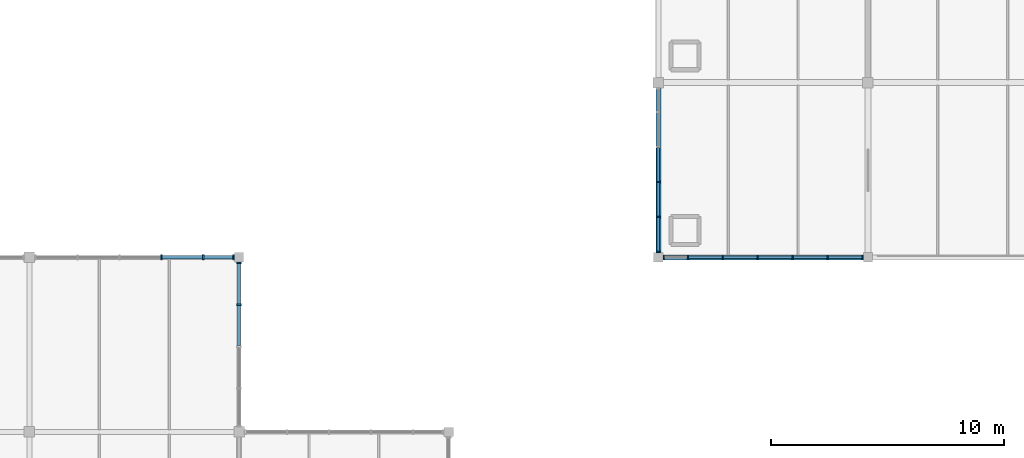
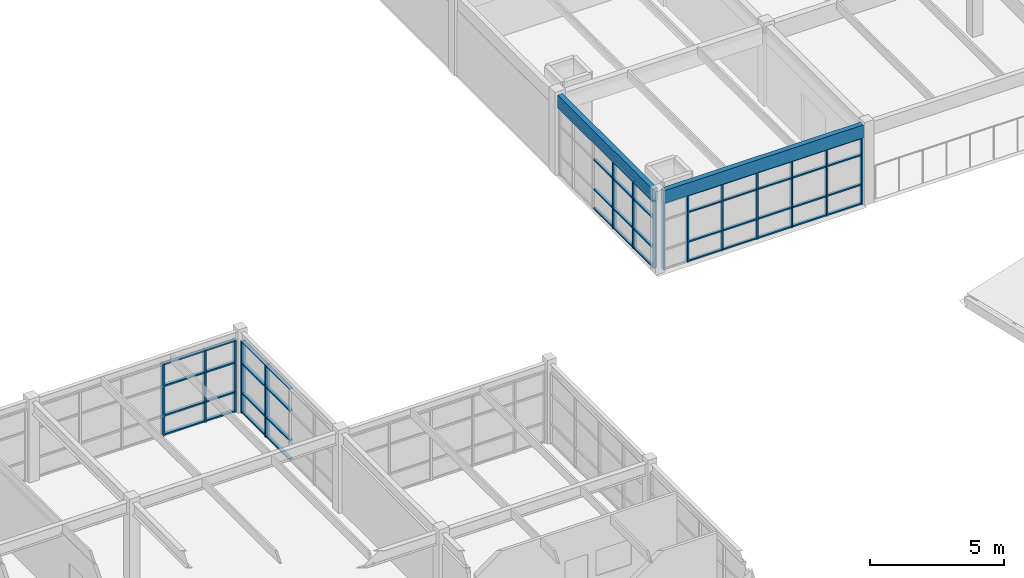
# One storey, part 13 of 81: 62 members, 2 beams, 4 elements without a shape of their own.
"""IFC4 building model written with IfcOpenShell, lengths in metres."""

from ifc_helpers import new_model, si_unit, direction, frame, origin, origin_2d, place, context, subcontext, project, spatial, rectangle, extrude, material, layer, layer_set, material_profile, profile_set, type_object, element, aggregate, save


model = new_model("IFC4")

# Units and contexts
model_context = context("Model", 3, precision=1e-05, world=origin(), true_north=direction((0.0, 1.0)))
body_context = subcontext(model_context, "Body", "Model", "MODEL_VIEW")
ifc_project = project(units=[si_unit("LENGTHUNIT", "METRE"), si_unit("AREAUNIT", "SQUARE_METRE"), si_unit("VOLUMEUNIT", "CUBIC_METRE"), si_unit("PLANEANGLEUNIT", "RADIAN"), si_unit("MASSUNIT", "GRAM", prefix="KILO")], contexts=[model_context])

# Site, building, storey
site_placement = place(None, origin())
site = spatial("IfcSite", under=ifc_project, at=site_placement, CompositionType="ELEMENT")
building_placement = place(site_placement, origin())
building = spatial("IfcBuilding", under=site, at=building_placement, Name="Marnridge Secondary College", CompositionType="ELEMENT")
storey_placement = place(building_placement, frame((0.0, 0.0, 8.5)))
storey = spatial("IfcBuildingStorey", under=building, at=storey_placement, Name="L02", CompositionType="ELEMENT", Elevation=8.5)

# Beams
ifc_material_1 = material(Name="Glulam timber GL18", Category="wood")
ifc_material_profile_1 = material_profile(ifc_material_1, rectangle(XDim=0.215087890625, YDim=0.5849609375, at=origin_2d()), Name="GL18 215x585")
ifc_profile_set_1 = profile_set([ifc_material_profile_1], Name="Glulam timber GL18")
beam_type = type_object("IfcBeamType", Name="BM-GL585-EXT", PredefinedType="SPANDREL", material=ifc_profile_set_1)
beam_1_placement = place(storey_placement, frame((54.194091796875, 37.5, 3.347412109375), z_axis=(1.0, 0.0, 0.0), x_axis=(0.0, 1.0, 0.0)))
element("IfcBeam", 1, at=beam_1_placement, inside=storey, type_object=beam_type, Name="Beam BS-L02-0796", PredefinedType="SPANDREL", context=body_context, shape_type="SweptSolid", body=[
    extrude(rectangle(XDim=0.215087890625, YDim=0.5849609375, at=origin_2d()), origin(), (0.0, 0.0, 1.0), 8.61181640625),
])
beam_2_placement = place(storey_placement, frame((54.0, 37.694091796875, 3.347412109375), z_axis=(0.0, 1.0, 0.0), x_axis=(-1.0, 0.0, 0.0)))
element("IfcBeam", 2, at=beam_2_placement, inside=storey, type_object=beam_type, Name="Beam BS-L02-0797", PredefinedType="SPANDREL", context=body_context, shape_type="SweptSolid", body=[
    extrude(rectangle(XDim=0.215087890625, YDim=0.5849609375, at=origin_2d()), origin(), (0.0, 0.0, 1.0), 7.0869140625),
])

# Curtain wall, members
ifc_material_2 = material(Name="Thermally broken aluminium and low-E glazing", Category="aluminium")
ifc_layer_1 = layer(ifc_material_2, 0.159912109375)
ifc_layer_set_1 = layer_set([ifc_layer_1], Name="CW-MOD-1500")
curtain_wall_type_1 = type_object("IfcCurtainWallType", Name="CW-MOD-1500", PredefinedType="NOTDEFINED", material=ifc_layer_set_1)
curtain_wall_1_placement = place(storey_placement, origin())
curtain_wall_1 = element("IfcCurtainWall", 3, at=curtain_wall_1_placement, inside=storey, type_object=curtain_wall_type_1, Name="Unitised curtain wall CW-L02-081", PredefinedType="NOTDEFINED")
ifc_material_3 = material(Name="Anodised aluminium 6063-T6", Category="aluminium")
ifc_material_profile_2 = material_profile(ifc_material_3, rectangle(XDim=0.06005859375, YDim=0.159912109375, at=origin_2d()), Name="ALU 60x160")
ifc_profile_set_2 = profile_set([ifc_material_profile_2], Name="Anodised aluminium 6063-T6")
member_type_1 = type_object("IfcMemberType", Name="CWM-ALU160", PredefinedType="MULLION", material=ifc_profile_set_2)
member_1_placement = place(storey_placement, frame((62.76611328125, 37.5, 0.0), z_axis=(0.0, 0.0, 1.0), x_axis=(-1.0, 0.0, 0.0)))
member_1 = element("IfcMember", 4, at=member_1_placement, type_object=member_type_1, Name="CW-L02-081 mullion 1", PredefinedType="MULLION", context=body_context, shape_type="SweptSolid", body=[
    extrude(rectangle(XDim=0.06005859375, YDim=0.159912109375, at=origin_2d()), origin(), (0.0, 0.0, 1.0), 3.047119140625),
])
member_2_placement = place(storey_placement, frame((61.26611328125, 37.5, 0.0), z_axis=(0.0, 0.0, 1.0), x_axis=(-1.0, 0.0, 0.0)))
member_2 = element("IfcMember", 5, at=member_2_placement, type_object=member_type_1, Name="CW-L02-081 mullion 2", PredefinedType="MULLION", context=body_context, shape_type="SweptSolid", body=[
    extrude(rectangle(XDim=0.06005859375, YDim=0.159912109375, at=origin_2d()), origin(), (0.0, 0.0, 1.0), 3.047119140625),
])
member_3_placement = place(storey_placement, frame((59.76611328125, 37.5, 0.0), z_axis=(0.0, 0.0, 1.0), x_axis=(-1.0, 0.0, 0.0)))
member_3 = element("IfcMember", 6, at=member_3_placement, type_object=member_type_1, Name="CW-L02-081 mullion 3", PredefinedType="MULLION", context=body_context, shape_type="SweptSolid", body=[
    extrude(rectangle(XDim=0.06005859375, YDim=0.159912109375, at=origin_2d()), origin(), (0.0, 0.0, 1.0), 3.047119140625),
])
member_4_placement = place(storey_placement, frame((58.26611328125, 37.5, 0.0), z_axis=(0.0, 0.0, 1.0), x_axis=(-1.0, 0.0, 0.0)))
member_4 = element("IfcMember", 7, at=member_4_placement, type_object=member_type_1, Name="CW-L02-081 mullion 4", PredefinedType="MULLION", context=body_context, shape_type="SweptSolid", body=[
    extrude(rectangle(XDim=0.06005859375, YDim=0.159912109375, at=origin_2d()), origin(), (0.0, 0.0, 1.0), 3.047119140625),
])
member_5_placement = place(storey_placement, frame((56.76611328125, 37.5, 0.0), z_axis=(0.0, 0.0, 1.0), x_axis=(-1.0, 0.0, 0.0)))
member_5 = element("IfcMember", 8, at=member_5_placement, type_object=member_type_1, Name="CW-L02-081 mullion 5", PredefinedType="MULLION", context=body_context, shape_type="SweptSolid", body=[
    extrude(rectangle(XDim=0.06005859375, YDim=0.159912109375, at=origin_2d()), origin(), (0.0, 0.0, 1.0), 3.047119140625),
])
member_6_placement = place(storey_placement, frame((55.26611328125, 37.5, 0.0), z_axis=(0.0, 0.0, 1.0), x_axis=(-1.0, 0.0, 0.0)))
member_6 = element("IfcMember", 9, at=member_6_placement, type_object=member_type_1, Name="CW-L02-081 mullion 6", PredefinedType="MULLION", context=body_context, shape_type="SweptSolid", body=[
    extrude(rectangle(XDim=0.06005859375, YDim=0.159912109375, at=origin_2d()), origin(), (0.0, 0.0, 1.0), 3.047119140625),
])
member_7_placement = place(storey_placement, frame((54.23388671875, 37.5, 0.0), z_axis=(0.0, 0.0, 1.0), x_axis=(-1.0, 0.0, 0.0)))
member_7 = element("IfcMember", 10, at=member_7_placement, type_object=member_type_1, Name="CW-L02-081 mullion 7", PredefinedType="MULLION", context=body_context, shape_type="SweptSolid", body=[
    extrude(rectangle(XDim=0.06005859375, YDim=0.159912109375, at=origin_2d()), origin(), (0.0, 0.0, 1.0), 3.047119140625),
])

curtain_wall_2_placement = place(storey_placement, origin())
curtain_wall_2 = element("IfcCurtainWall", 11, at=curtain_wall_2_placement, inside=storey, type_object=curtain_wall_type_1, Name="Unitised curtain wall CW-L02-082", PredefinedType="NOTDEFINED")
member_8_placement = place(storey_placement, frame((54.0, 37.73388671875, 0.0), z_axis=(0.0, 0.0, 1.0), x_axis=(0.0, 1.0, 0.0)))
member_8 = element("IfcMember", 12, at=member_8_placement, type_object=member_type_1, Name="CW-L02-082 mullion 1", PredefinedType="MULLION", context=body_context, shape_type="SweptSolid", body=[
    extrude(rectangle(XDim=0.06005859375, YDim=0.159912109375, at=origin_2d()), origin(), (0.0, 0.0, 1.0), 3.047119140625),
])
member_9_placement = place(storey_placement, frame((54.0, 39.23388671875, 0.0), z_axis=(0.0, 0.0, 1.0), x_axis=(0.0, 1.0, 0.0)))
member_9 = element("IfcMember", 13, at=member_9_placement, type_object=member_type_1, Name="CW-L02-082 mullion 2", PredefinedType="MULLION", context=body_context, shape_type="SweptSolid", body=[
    extrude(rectangle(XDim=0.06005859375, YDim=0.159912109375, at=origin_2d()), origin(), (0.0, 0.0, 1.0), 3.047119140625),
])
member_10_placement = place(storey_placement, frame((54.0, 40.73388671875, 0.0), z_axis=(0.0, 0.0, 1.0), x_axis=(0.0, 1.0, 0.0)))
member_10 = element("IfcMember", 14, at=member_10_placement, type_object=member_type_1, Name="CW-L02-082 mullion 3", PredefinedType="MULLION", context=body_context, shape_type="SweptSolid", body=[
    extrude(rectangle(XDim=0.06005859375, YDim=0.159912109375, at=origin_2d()), origin(), (0.0, 0.0, 1.0), 3.047119140625),
])

ifc_material_4 = material(Name="Bronze-anodised aluminium and solar-control glazing", Category="aluminium")
ifc_layer_2 = layer(ifc_material_4, 0.199951171875)
ifc_layer_set_2 = layer_set([ifc_layer_2], Name="CW-MOD-1800")
curtain_wall_type_2 = type_object("IfcCurtainWallType", Name="CW-MOD-1800", PredefinedType="NOTDEFINED", material=ifc_layer_set_2)
curtain_wall_3_placement = place(storey_placement, origin())
curtain_wall_3 = element("IfcCurtainWall", 15, at=curtain_wall_3_placement, inside=storey, type_object=curtain_wall_type_2, Name="Unitised curtain wall CW-L02-103", PredefinedType="NOTDEFINED")
ifc_material_5 = material(Name="Bronze-anodised aluminium 6063-T6", Category="aluminium")
ifc_material_profile_3 = material_profile(ifc_material_5, rectangle(XDim=0.070068359375, YDim=0.199951171875, at=origin_2d()), Name="ALU 70x200")
ifc_profile_set_3 = profile_set([ifc_material_profile_3], Name="Bronze-anodised aluminium 6063-T6")
member_type_2 = type_object("IfcMemberType", Name="CWM-ALU200", PredefinedType="MULLION", material=ifc_profile_set_3)
member_11_placement = place(storey_placement, frame((32.6640625, 37.5, 0.0), z_axis=(0.0, 0.0, 1.0), x_axis=(1.0, 0.0, 0.0)))
member_11 = element("IfcMember", 16, at=member_11_placement, type_object=member_type_2, Name="CW-L02-103 mullion 4", PredefinedType="MULLION", context=body_context, shape_type="SweptSolid", body=[
    extrude(rectangle(XDim=0.070068359375, YDim=0.199951171875, at=origin_2d()), origin(), (0.0, 0.0, 1.0), 3.280029296875),
])
member_12_placement = place(storey_placement, frame((34.464111328125, 37.5, 0.0), z_axis=(0.0, 0.0, 1.0), x_axis=(1.0, 0.0, 0.0)))
member_12 = element("IfcMember", 17, at=member_12_placement, type_object=member_type_2, Name="CW-L02-103 mullion 5", PredefinedType="MULLION", context=body_context, shape_type="SweptSolid", body=[
    extrude(rectangle(XDim=0.070068359375, YDim=0.199951171875, at=origin_2d()), origin(), (0.0, 0.0, 1.0), 3.280029296875),
])
member_13_placement = place(storey_placement, frame((35.760986328125, 37.5, 0.0), z_axis=(0.0, 0.0, 1.0), x_axis=(1.0, 0.0, 0.0)))
member_13 = element("IfcMember", 18, at=member_13_placement, type_object=member_type_2, Name="CW-L02-103 mullion 6", PredefinedType="MULLION", context=body_context, shape_type="SweptSolid", body=[
    extrude(rectangle(XDim=0.070068359375, YDim=0.199951171875, at=origin_2d()), origin(), (0.0, 0.0, 1.0), 3.280029296875),
])

curtain_wall_4_placement = place(storey_placement, origin())
curtain_wall_4 = element("IfcCurtainWall", 19, at=curtain_wall_4_placement, inside=storey, type_object=curtain_wall_type_2, Name="Unitised curtain wall CW-L02-104", PredefinedType="NOTDEFINED")
member_14_placement = place(storey_placement, frame((36.0, 37.260986328125, 0.0), z_axis=(0.0, 0.0, 1.0), x_axis=(0.0, -1.0, 0.0)))
member_14 = element("IfcMember", 20, at=member_14_placement, type_object=member_type_2, Name="CW-L02-104 mullion 1", PredefinedType="MULLION", context=body_context, shape_type="SweptSolid", body=[
    extrude(rectangle(XDim=0.070068359375, YDim=0.199951171875, at=origin_2d()), origin(), (0.0, 0.0, 1.0), 3.280029296875),
])
member_15_placement = place(storey_placement, frame((36.0, 35.4609375, 0.0), z_axis=(0.0, 0.0, 1.0), x_axis=(0.0, -1.0, 0.0)))
member_15 = element("IfcMember", 21, at=member_15_placement, type_object=member_type_2, Name="CW-L02-104 mullion 2", PredefinedType="MULLION", context=body_context, shape_type="SweptSolid", body=[
    extrude(rectangle(XDim=0.070068359375, YDim=0.199951171875, at=origin_2d()), origin(), (0.0, 0.0, 1.0), 3.280029296875),
])

# Member
ifc_material_6 = material(Name="Anodised aluminium 6063-T6", Category="aluminium")
ifc_material_profile_4 = material_profile(ifc_material_6, rectangle(XDim=0.06005859375, YDim=0.1201171875, at=origin_2d()), Name="ALU 60x120")
ifc_profile_set_4 = profile_set([ifc_material_profile_4], Name="Anodised aluminium 6063-T6")
member_type_3 = type_object("IfcMemberType", Name="CWT-ALU120", PredefinedType="USERDEFINED", material=ifc_profile_set_4)
member_16_placement = place(storey_placement, frame((62.736083984375, 37.5, 0.030029296875), z_axis=(-1.0, 0.0, 0.0), x_axis=(0.0, 0.0, 1.0)))
member_16 = element("IfcMember", 22, at=member_16_placement, type_object=member_type_3, Name="CW-L02-081 transom 1.1", ObjectType="TRANSOM", PredefinedType="USERDEFINED", context=body_context, shape_type="SweptSolid", body=[
    extrude(rectangle(XDim=0.06005859375, YDim=0.1201171875, at=origin_2d()), origin(), (0.0, 0.0, 1.0), 1.440185546875),
])

member_17_placement = place(storey_placement, frame((62.736083984375, 37.5, 0.89990234375), z_axis=(-1.0, 0.0, 0.0), x_axis=(0.0, 0.0, 1.0)))
member_17 = element("IfcMember", 23, at=member_17_placement, type_object=member_type_3, Name="CW-L02-081 transom 1.2", ObjectType="TRANSOM", PredefinedType="USERDEFINED", context=body_context, shape_type="SweptSolid", body=[
    extrude(rectangle(XDim=0.06005859375, YDim=0.1201171875, at=origin_2d()), origin(), (0.0, 0.0, 1.0), 1.440185546875),
])

member_18_placement = place(storey_placement, frame((62.736083984375, 37.5, 2.25), z_axis=(-1.0, 0.0, 0.0), x_axis=(0.0, 0.0, 1.0)))
member_18 = element("IfcMember", 24, at=member_18_placement, type_object=member_type_3, Name="CW-L02-081 transom 1.3", ObjectType="TRANSOM", PredefinedType="USERDEFINED", context=body_context, shape_type="SweptSolid", body=[
    extrude(rectangle(XDim=0.06005859375, YDim=0.1201171875, at=origin_2d()), origin(), (0.0, 0.0, 1.0), 1.440185546875),
])

member_19_placement = place(storey_placement, frame((62.736083984375, 37.5, 3.01708984375), z_axis=(-1.0, 0.0, 0.0), x_axis=(0.0, 0.0, 1.0)))
member_19 = element("IfcMember", 25, at=member_19_placement, type_object=member_type_3, Name="CW-L02-081 transom 1.4", ObjectType="TRANSOM", PredefinedType="USERDEFINED", context=body_context, shape_type="SweptSolid", body=[
    extrude(rectangle(XDim=0.06005859375, YDim=0.1201171875, at=origin_2d()), origin(), (0.0, 0.0, 1.0), 1.440185546875),
])

member_20_placement = place(storey_placement, frame((61.236083984375, 37.5, 0.030029296875), z_axis=(-1.0, 0.0, 0.0), x_axis=(0.0, 0.0, 1.0)))
member_20 = element("IfcMember", 26, at=member_20_placement, type_object=member_type_3, Name="CW-L02-081 transom 2.1", ObjectType="TRANSOM", PredefinedType="USERDEFINED", context=body_context, shape_type="SweptSolid", body=[
    extrude(rectangle(XDim=0.06005859375, YDim=0.1201171875, at=origin_2d()), origin(), (0.0, 0.0, 1.0), 1.440185546875),
])

member_21_placement = place(storey_placement, frame((61.236083984375, 37.5, 0.89990234375), z_axis=(-1.0, 0.0, 0.0), x_axis=(0.0, 0.0, 1.0)))
member_21 = element("IfcMember", 27, at=member_21_placement, type_object=member_type_3, Name="CW-L02-081 transom 2.2", ObjectType="TRANSOM", PredefinedType="USERDEFINED", context=body_context, shape_type="SweptSolid", body=[
    extrude(rectangle(XDim=0.06005859375, YDim=0.1201171875, at=origin_2d()), origin(), (0.0, 0.0, 1.0), 1.440185546875),
])

member_22_placement = place(storey_placement, frame((61.236083984375, 37.5, 2.25), z_axis=(-1.0, 0.0, 0.0), x_axis=(0.0, 0.0, 1.0)))
member_22 = element("IfcMember", 28, at=member_22_placement, type_object=member_type_3, Name="CW-L02-081 transom 2.3", ObjectType="TRANSOM", PredefinedType="USERDEFINED", context=body_context, shape_type="SweptSolid", body=[
    extrude(rectangle(XDim=0.06005859375, YDim=0.1201171875, at=origin_2d()), origin(), (0.0, 0.0, 1.0), 1.440185546875),
])

member_23_placement = place(storey_placement, frame((61.236083984375, 37.5, 3.01708984375), z_axis=(-1.0, 0.0, 0.0), x_axis=(0.0, 0.0, 1.0)))
member_23 = element("IfcMember", 29, at=member_23_placement, type_object=member_type_3, Name="CW-L02-081 transom 2.4", ObjectType="TRANSOM", PredefinedType="USERDEFINED", context=body_context, shape_type="SweptSolid", body=[
    extrude(rectangle(XDim=0.06005859375, YDim=0.1201171875, at=origin_2d()), origin(), (0.0, 0.0, 1.0), 1.440185546875),
])

member_24_placement = place(storey_placement, frame((59.736083984375, 37.5, 0.030029296875), z_axis=(-1.0, 0.0, 0.0), x_axis=(0.0, 0.0, 1.0)))
member_24 = element("IfcMember", 30, at=member_24_placement, type_object=member_type_3, Name="CW-L02-081 transom 3.1", ObjectType="TRANSOM", PredefinedType="USERDEFINED", context=body_context, shape_type="SweptSolid", body=[
    extrude(rectangle(XDim=0.06005859375, YDim=0.1201171875, at=origin_2d()), origin(), (0.0, 0.0, 1.0), 1.440185546875),
])

member_25_placement = place(storey_placement, frame((59.736083984375, 37.5, 0.89990234375), z_axis=(-1.0, 0.0, 0.0), x_axis=(0.0, 0.0, 1.0)))
member_25 = element("IfcMember", 31, at=member_25_placement, type_object=member_type_3, Name="CW-L02-081 transom 3.2", ObjectType="TRANSOM", PredefinedType="USERDEFINED", context=body_context, shape_type="SweptSolid", body=[
    extrude(rectangle(XDim=0.06005859375, YDim=0.1201171875, at=origin_2d()), origin(), (0.0, 0.0, 1.0), 1.440185546875),
])

member_26_placement = place(storey_placement, frame((59.736083984375, 37.5, 2.25), z_axis=(-1.0, 0.0, 0.0), x_axis=(0.0, 0.0, 1.0)))
member_26 = element("IfcMember", 32, at=member_26_placement, type_object=member_type_3, Name="CW-L02-081 transom 3.3", ObjectType="TRANSOM", PredefinedType="USERDEFINED", context=body_context, shape_type="SweptSolid", body=[
    extrude(rectangle(XDim=0.06005859375, YDim=0.1201171875, at=origin_2d()), origin(), (0.0, 0.0, 1.0), 1.440185546875),
])

member_27_placement = place(storey_placement, frame((59.736083984375, 37.5, 3.01708984375), z_axis=(-1.0, 0.0, 0.0), x_axis=(0.0, 0.0, 1.0)))
member_27 = element("IfcMember", 33, at=member_27_placement, type_object=member_type_3, Name="CW-L02-081 transom 3.4", ObjectType="TRANSOM", PredefinedType="USERDEFINED", context=body_context, shape_type="SweptSolid", body=[
    extrude(rectangle(XDim=0.06005859375, YDim=0.1201171875, at=origin_2d()), origin(), (0.0, 0.0, 1.0), 1.440185546875),
])

member_28_placement = place(storey_placement, frame((58.236083984375, 37.5, 0.030029296875), z_axis=(-1.0, 0.0, 0.0), x_axis=(0.0, 0.0, 1.0)))
member_28 = element("IfcMember", 34, at=member_28_placement, type_object=member_type_3, Name="CW-L02-081 transom 4.1", ObjectType="TRANSOM", PredefinedType="USERDEFINED", context=body_context, shape_type="SweptSolid", body=[
    extrude(rectangle(XDim=0.06005859375, YDim=0.1201171875, at=origin_2d()), origin(), (0.0, 0.0, 1.0), 1.440185546875),
])

member_29_placement = place(storey_placement, frame((58.236083984375, 37.5, 0.89990234375), z_axis=(-1.0, 0.0, 0.0), x_axis=(0.0, 0.0, 1.0)))
member_29 = element("IfcMember", 35, at=member_29_placement, type_object=member_type_3, Name="CW-L02-081 transom 4.2", ObjectType="TRANSOM", PredefinedType="USERDEFINED", context=body_context, shape_type="SweptSolid", body=[
    extrude(rectangle(XDim=0.06005859375, YDim=0.1201171875, at=origin_2d()), origin(), (0.0, 0.0, 1.0), 1.440185546875),
])

member_30_placement = place(storey_placement, frame((58.236083984375, 37.5, 2.25), z_axis=(-1.0, 0.0, 0.0), x_axis=(0.0, 0.0, 1.0)))
member_30 = element("IfcMember", 36, at=member_30_placement, type_object=member_type_3, Name="CW-L02-081 transom 4.3", ObjectType="TRANSOM", PredefinedType="USERDEFINED", context=body_context, shape_type="SweptSolid", body=[
    extrude(rectangle(XDim=0.06005859375, YDim=0.1201171875, at=origin_2d()), origin(), (0.0, 0.0, 1.0), 1.440185546875),
])

member_31_placement = place(storey_placement, frame((58.236083984375, 37.5, 3.01708984375), z_axis=(-1.0, 0.0, 0.0), x_axis=(0.0, 0.0, 1.0)))
member_31 = element("IfcMember", 37, at=member_31_placement, type_object=member_type_3, Name="CW-L02-081 transom 4.4", ObjectType="TRANSOM", PredefinedType="USERDEFINED", context=body_context, shape_type="SweptSolid", body=[
    extrude(rectangle(XDim=0.06005859375, YDim=0.1201171875, at=origin_2d()), origin(), (0.0, 0.0, 1.0), 1.440185546875),
])

member_32_placement = place(storey_placement, frame((56.736083984375, 37.5, 0.030029296875), z_axis=(-1.0, 0.0, 0.0), x_axis=(0.0, 0.0, 1.0)))
member_32 = element("IfcMember", 38, at=member_32_placement, type_object=member_type_3, Name="CW-L02-081 transom 5.1", ObjectType="TRANSOM", PredefinedType="USERDEFINED", context=body_context, shape_type="SweptSolid", body=[
    extrude(rectangle(XDim=0.06005859375, YDim=0.1201171875, at=origin_2d()), origin(), (0.0, 0.0, 1.0), 1.440185546875),
])

member_33_placement = place(storey_placement, frame((56.736083984375, 37.5, 0.89990234375), z_axis=(-1.0, 0.0, 0.0), x_axis=(0.0, 0.0, 1.0)))
member_33 = element("IfcMember", 39, at=member_33_placement, type_object=member_type_3, Name="CW-L02-081 transom 5.2", ObjectType="TRANSOM", PredefinedType="USERDEFINED", context=body_context, shape_type="SweptSolid", body=[
    extrude(rectangle(XDim=0.06005859375, YDim=0.1201171875, at=origin_2d()), origin(), (0.0, 0.0, 1.0), 1.440185546875),
])

member_34_placement = place(storey_placement, frame((56.736083984375, 37.5, 2.25), z_axis=(-1.0, 0.0, 0.0), x_axis=(0.0, 0.0, 1.0)))
member_34 = element("IfcMember", 40, at=member_34_placement, type_object=member_type_3, Name="CW-L02-081 transom 5.3", ObjectType="TRANSOM", PredefinedType="USERDEFINED", context=body_context, shape_type="SweptSolid", body=[
    extrude(rectangle(XDim=0.06005859375, YDim=0.1201171875, at=origin_2d()), origin(), (0.0, 0.0, 1.0), 1.440185546875),
])

member_35_placement = place(storey_placement, frame((56.736083984375, 37.5, 3.01708984375), z_axis=(-1.0, 0.0, 0.0), x_axis=(0.0, 0.0, 1.0)))
member_35 = element("IfcMember", 41, at=member_35_placement, type_object=member_type_3, Name="CW-L02-081 transom 5.4", ObjectType="TRANSOM", PredefinedType="USERDEFINED", context=body_context, shape_type="SweptSolid", body=[
    extrude(rectangle(XDim=0.06005859375, YDim=0.1201171875, at=origin_2d()), origin(), (0.0, 0.0, 1.0), 1.440185546875),
])

aggregate(curtain_wall_1, [member_1, member_2, member_3, member_4, member_5, member_6, member_7, member_16, member_17, member_18, member_19, member_20, member_21, member_22, member_23, member_24, member_25, member_26, member_27, member_28, member_29, member_30, member_31, member_32, member_33, member_34, member_35])

member_36_placement = place(storey_placement, frame((54.0, 37.763916015625, 0.030029296875), z_axis=(0.0, 1.0, 0.0), x_axis=(0.0, 0.0, 1.0)))
member_36 = element("IfcMember", 42, at=member_36_placement, type_object=member_type_3, Name="CW-L02-082 transom 1.1", ObjectType="TRANSOM", PredefinedType="USERDEFINED", context=body_context, shape_type="SweptSolid", body=[
    extrude(rectangle(XDim=0.06005859375, YDim=0.1201171875, at=origin_2d()), origin(), (0.0, 0.0, 1.0), 1.440185546875),
])

member_37_placement = place(storey_placement, frame((54.0, 37.763916015625, 0.89990234375), z_axis=(0.0, 1.0, 0.0), x_axis=(0.0, 0.0, 1.0)))
member_37 = element("IfcMember", 43, at=member_37_placement, type_object=member_type_3, Name="CW-L02-082 transom 1.2", ObjectType="TRANSOM", PredefinedType="USERDEFINED", context=body_context, shape_type="SweptSolid", body=[
    extrude(rectangle(XDim=0.06005859375, YDim=0.1201171875, at=origin_2d()), origin(), (0.0, 0.0, 1.0), 1.440185546875),
])

member_38_placement = place(storey_placement, frame((54.0, 37.763916015625, 2.25), z_axis=(0.0, 1.0, 0.0), x_axis=(0.0, 0.0, 1.0)))
member_38 = element("IfcMember", 44, at=member_38_placement, type_object=member_type_3, Name="CW-L02-082 transom 1.3", ObjectType="TRANSOM", PredefinedType="USERDEFINED", context=body_context, shape_type="SweptSolid", body=[
    extrude(rectangle(XDim=0.06005859375, YDim=0.1201171875, at=origin_2d()), origin(), (0.0, 0.0, 1.0), 1.440185546875),
])

member_39_placement = place(storey_placement, frame((54.0, 37.763916015625, 3.01708984375), z_axis=(0.0, 1.0, 0.0), x_axis=(0.0, 0.0, 1.0)))
member_39 = element("IfcMember", 45, at=member_39_placement, type_object=member_type_3, Name="CW-L02-082 transom 1.4", ObjectType="TRANSOM", PredefinedType="USERDEFINED", context=body_context, shape_type="SweptSolid", body=[
    extrude(rectangle(XDim=0.06005859375, YDim=0.1201171875, at=origin_2d()), origin(), (0.0, 0.0, 1.0), 1.440185546875),
])

member_40_placement = place(storey_placement, frame((54.0, 39.263916015625, 0.030029296875), z_axis=(0.0, 1.0, 0.0), x_axis=(0.0, 0.0, 1.0)))
member_40 = element("IfcMember", 46, at=member_40_placement, type_object=member_type_3, Name="CW-L02-082 transom 2.1", ObjectType="TRANSOM", PredefinedType="USERDEFINED", context=body_context, shape_type="SweptSolid", body=[
    extrude(rectangle(XDim=0.06005859375, YDim=0.1201171875, at=origin_2d()), origin(), (0.0, 0.0, 1.0), 1.440185546875),
])

member_41_placement = place(storey_placement, frame((54.0, 39.263916015625, 0.89990234375), z_axis=(0.0, 1.0, 0.0), x_axis=(0.0, 0.0, 1.0)))
member_41 = element("IfcMember", 47, at=member_41_placement, type_object=member_type_3, Name="CW-L02-082 transom 2.2", ObjectType="TRANSOM", PredefinedType="USERDEFINED", context=body_context, shape_type="SweptSolid", body=[
    extrude(rectangle(XDim=0.06005859375, YDim=0.1201171875, at=origin_2d()), origin(), (0.0, 0.0, 1.0), 1.440185546875),
])

member_42_placement = place(storey_placement, frame((54.0, 39.263916015625, 2.25), z_axis=(0.0, 1.0, 0.0), x_axis=(0.0, 0.0, 1.0)))
member_42 = element("IfcMember", 48, at=member_42_placement, type_object=member_type_3, Name="CW-L02-082 transom 2.3", ObjectType="TRANSOM", PredefinedType="USERDEFINED", context=body_context, shape_type="SweptSolid", body=[
    extrude(rectangle(XDim=0.06005859375, YDim=0.1201171875, at=origin_2d()), origin(), (0.0, 0.0, 1.0), 1.440185546875),
])

member_43_placement = place(storey_placement, frame((54.0, 39.263916015625, 3.01708984375), z_axis=(0.0, 1.0, 0.0), x_axis=(0.0, 0.0, 1.0)))
member_43 = element("IfcMember", 49, at=member_43_placement, type_object=member_type_3, Name="CW-L02-082 transom 2.4", ObjectType="TRANSOM", PredefinedType="USERDEFINED", context=body_context, shape_type="SweptSolid", body=[
    extrude(rectangle(XDim=0.06005859375, YDim=0.1201171875, at=origin_2d()), origin(), (0.0, 0.0, 1.0), 1.440185546875),
])

member_44_placement = place(storey_placement, frame((54.0, 40.763916015625, 0.030029296875), z_axis=(0.0, 1.0, 0.0), x_axis=(0.0, 0.0, 1.0)))
member_44 = element("IfcMember", 50, at=member_44_placement, type_object=member_type_3, Name="CW-L02-082 transom 3.1", ObjectType="TRANSOM", PredefinedType="USERDEFINED", context=body_context, shape_type="SweptSolid", body=[
    extrude(rectangle(XDim=0.06005859375, YDim=0.1201171875, at=origin_2d()), origin(), (0.0, 0.0, 1.0), 1.440185546875),
])

member_45_placement = place(storey_placement, frame((54.0, 40.763916015625, 0.89990234375), z_axis=(0.0, 1.0, 0.0), x_axis=(0.0, 0.0, 1.0)))
member_45 = element("IfcMember", 51, at=member_45_placement, type_object=member_type_3, Name="CW-L02-082 transom 3.2", ObjectType="TRANSOM", PredefinedType="USERDEFINED", context=body_context, shape_type="SweptSolid", body=[
    extrude(rectangle(XDim=0.06005859375, YDim=0.1201171875, at=origin_2d()), origin(), (0.0, 0.0, 1.0), 1.440185546875),
])

member_46_placement = place(storey_placement, frame((54.0, 40.763916015625, 2.25), z_axis=(0.0, 1.0, 0.0), x_axis=(0.0, 0.0, 1.0)))
member_46 = element("IfcMember", 52, at=member_46_placement, type_object=member_type_3, Name="CW-L02-082 transom 3.3", ObjectType="TRANSOM", PredefinedType="USERDEFINED", context=body_context, shape_type="SweptSolid", body=[
    extrude(rectangle(XDim=0.06005859375, YDim=0.1201171875, at=origin_2d()), origin(), (0.0, 0.0, 1.0), 1.440185546875),
])

aggregate(curtain_wall_2, [member_8, member_9, member_10, member_36, member_37, member_38, member_39, member_40, member_41, member_42, member_43, member_44, member_45, member_46])

ifc_material_7 = material(Name="Anodised aluminium 6063-T6", Category="aluminium")
ifc_material_profile_5 = material_profile(ifc_material_7, rectangle(XDim=0.06494140625, YDim=0.139892578125, at=origin_2d()), Name="ALU 65x140")
ifc_profile_set_5 = profile_set([ifc_material_profile_5], Name="Anodised aluminium 6063-T6")
member_type_4 = type_object("IfcMemberType", Name="CWT-ALU140", PredefinedType="USERDEFINED", material=ifc_profile_set_5)
member_47_placement = place(storey_placement, frame((32.698974609375, 37.5, 0.032470703125), z_axis=(1.0, 0.0, 0.0), x_axis=(0.0, 0.0, 1.0)))
member_47 = element("IfcMember", 53, at=member_47_placement, type_object=member_type_4, Name="CW-L02-103 transom 4.1", ObjectType="TRANSOM", PredefinedType="USERDEFINED", context=body_context, shape_type="SweptSolid", body=[
    extrude(rectangle(XDim=0.06494140625, YDim=0.139892578125, at=origin_2d()), origin(), (0.0, 0.0, 1.0), 1.72998046875),
])

member_48_placement = place(storey_placement, frame((32.698974609375, 37.5, 0.89990234375), z_axis=(1.0, 0.0, 0.0), x_axis=(0.0, 0.0, 1.0)))
member_48 = element("IfcMember", 54, at=member_48_placement, type_object=member_type_4, Name="CW-L02-103 transom 4.2", ObjectType="TRANSOM", PredefinedType="USERDEFINED", context=body_context, shape_type="SweptSolid", body=[
    extrude(rectangle(XDim=0.06494140625, YDim=0.139892578125, at=origin_2d()), origin(), (0.0, 0.0, 1.0), 1.72998046875),
])

member_49_placement = place(storey_placement, frame((32.698974609375, 37.5, 2.25), z_axis=(1.0, 0.0, 0.0), x_axis=(0.0, 0.0, 1.0)))
member_49 = element("IfcMember", 55, at=member_49_placement, type_object=member_type_4, Name="CW-L02-103 transom 4.3", ObjectType="TRANSOM", PredefinedType="USERDEFINED", context=body_context, shape_type="SweptSolid", body=[
    extrude(rectangle(XDim=0.06494140625, YDim=0.139892578125, at=origin_2d()), origin(), (0.0, 0.0, 1.0), 1.72998046875),
])

member_50_placement = place(storey_placement, frame((32.698974609375, 37.5, 3.24755859375), z_axis=(1.0, 0.0, 0.0), x_axis=(0.0, 0.0, 1.0)))
member_50 = element("IfcMember", 56, at=member_50_placement, type_object=member_type_4, Name="CW-L02-103 transom 4.4", ObjectType="TRANSOM", PredefinedType="USERDEFINED", context=body_context, shape_type="SweptSolid", body=[
    extrude(rectangle(XDim=0.06494140625, YDim=0.139892578125, at=origin_2d()), origin(), (0.0, 0.0, 1.0), 1.72998046875),
])

member_51_placement = place(storey_placement, frame((34.4990234375, 37.5, 0.032470703125), z_axis=(1.0, 0.0, 0.0), x_axis=(0.0, 0.0, 1.0)))
member_51 = element("IfcMember", 57, at=member_51_placement, type_object=member_type_4, Name="CW-L02-103 transom 5.1", ObjectType="TRANSOM", PredefinedType="USERDEFINED", context=body_context, shape_type="SweptSolid", body=[
    extrude(rectangle(XDim=0.06494140625, YDim=0.139892578125, at=origin_2d()), origin(), (0.0, 0.0, 1.0), 1.22705078125),
])

member_52_placement = place(storey_placement, frame((34.4990234375, 37.5, 0.89990234375), z_axis=(1.0, 0.0, 0.0), x_axis=(0.0, 0.0, 1.0)))
member_52 = element("IfcMember", 58, at=member_52_placement, type_object=member_type_4, Name="CW-L02-103 transom 5.2", ObjectType="TRANSOM", PredefinedType="USERDEFINED", context=body_context, shape_type="SweptSolid", body=[
    extrude(rectangle(XDim=0.06494140625, YDim=0.139892578125, at=origin_2d()), origin(), (0.0, 0.0, 1.0), 1.22705078125),
])

member_53_placement = place(storey_placement, frame((34.4990234375, 37.5, 2.25), z_axis=(1.0, 0.0, 0.0), x_axis=(0.0, 0.0, 1.0)))
member_53 = element("IfcMember", 59, at=member_53_placement, type_object=member_type_4, Name="CW-L02-103 transom 5.3", ObjectType="TRANSOM", PredefinedType="USERDEFINED", context=body_context, shape_type="SweptSolid", body=[
    extrude(rectangle(XDim=0.06494140625, YDim=0.139892578125, at=origin_2d()), origin(), (0.0, 0.0, 1.0), 1.22705078125),
])

member_54_placement = place(storey_placement, frame((34.4990234375, 37.5, 3.24755859375), z_axis=(1.0, 0.0, 0.0), x_axis=(0.0, 0.0, 1.0)))
member_54 = element("IfcMember", 60, at=member_54_placement, type_object=member_type_4, Name="CW-L02-103 transom 5.4", ObjectType="TRANSOM", PredefinedType="USERDEFINED", context=body_context, shape_type="SweptSolid", body=[
    extrude(rectangle(XDim=0.06494140625, YDim=0.139892578125, at=origin_2d()), origin(), (0.0, 0.0, 1.0), 1.22705078125),
])

aggregate(curtain_wall_3, [member_11, member_12, member_13, member_47, member_48, member_49, member_50, member_51, member_52, member_53, member_54])

member_55_placement = place(storey_placement, frame((36.0, 37.22607421875, 0.032470703125), z_axis=(0.0, -1.0, 0.0), x_axis=(0.0, 0.0, 1.0)))
member_55 = element("IfcMember", 61, at=member_55_placement, type_object=member_type_4, Name="CW-L02-104 transom 1.1", ObjectType="TRANSOM", PredefinedType="USERDEFINED", context=body_context, shape_type="SweptSolid", body=[
    extrude(rectangle(XDim=0.06494140625, YDim=0.139892578125, at=origin_2d()), origin(), (0.0, 0.0, 1.0), 1.72998046875),
])

member_56_placement = place(storey_placement, frame((36.0, 37.22607421875, 0.89990234375), z_axis=(0.0, -1.0, 0.0), x_axis=(0.0, 0.0, 1.0)))
member_56 = element("IfcMember", 62, at=member_56_placement, type_object=member_type_4, Name="CW-L02-104 transom 1.2", ObjectType="TRANSOM", PredefinedType="USERDEFINED", context=body_context, shape_type="SweptSolid", body=[
    extrude(rectangle(XDim=0.06494140625, YDim=0.139892578125, at=origin_2d()), origin(), (0.0, 0.0, 1.0), 1.72998046875),
])

member_57_placement = place(storey_placement, frame((36.0, 37.22607421875, 2.25), z_axis=(0.0, -1.0, 0.0), x_axis=(0.0, 0.0, 1.0)))
member_57 = element("IfcMember", 63, at=member_57_placement, type_object=member_type_4, Name="CW-L02-104 transom 1.3", ObjectType="TRANSOM", PredefinedType="USERDEFINED", context=body_context, shape_type="SweptSolid", body=[
    extrude(rectangle(XDim=0.06494140625, YDim=0.139892578125, at=origin_2d()), origin(), (0.0, 0.0, 1.0), 1.72998046875),
])

member_58_placement = place(storey_placement, frame((36.0, 37.22607421875, 3.24755859375), z_axis=(0.0, -1.0, 0.0), x_axis=(0.0, 0.0, 1.0)))
member_58 = element("IfcMember", 64, at=member_58_placement, type_object=member_type_4, Name="CW-L02-104 transom 1.4", ObjectType="TRANSOM", PredefinedType="USERDEFINED", context=body_context, shape_type="SweptSolid", body=[
    extrude(rectangle(XDim=0.06494140625, YDim=0.139892578125, at=origin_2d()), origin(), (0.0, 0.0, 1.0), 1.72998046875),
])

member_59_placement = place(storey_placement, frame((36.0, 35.426025390625, 0.032470703125), z_axis=(0.0, -1.0, 0.0), x_axis=(0.0, 0.0, 1.0)))
member_59 = element("IfcMember", 65, at=member_59_placement, type_object=member_type_4, Name="CW-L02-104 transom 2.1", ObjectType="TRANSOM", PredefinedType="USERDEFINED", context=body_context, shape_type="SweptSolid", body=[
    extrude(rectangle(XDim=0.06494140625, YDim=0.139892578125, at=origin_2d()), origin(), (0.0, 0.0, 1.0), 1.72998046875),
])

member_60_placement = place(storey_placement, frame((36.0, 35.426025390625, 0.89990234375), z_axis=(0.0, -1.0, 0.0), x_axis=(0.0, 0.0, 1.0)))
member_60 = element("IfcMember", 66, at=member_60_placement, type_object=member_type_4, Name="CW-L02-104 transom 2.2", ObjectType="TRANSOM", PredefinedType="USERDEFINED", context=body_context, shape_type="SweptSolid", body=[
    extrude(rectangle(XDim=0.06494140625, YDim=0.139892578125, at=origin_2d()), origin(), (0.0, 0.0, 1.0), 1.72998046875),
])

member_61_placement = place(storey_placement, frame((36.0, 35.426025390625, 2.25), z_axis=(0.0, -1.0, 0.0), x_axis=(0.0, 0.0, 1.0)))
member_61 = element("IfcMember", 67, at=member_61_placement, type_object=member_type_4, Name="CW-L02-104 transom 2.3", ObjectType="TRANSOM", PredefinedType="USERDEFINED", context=body_context, shape_type="SweptSolid", body=[
    extrude(rectangle(XDim=0.06494140625, YDim=0.139892578125, at=origin_2d()), origin(), (0.0, 0.0, 1.0), 1.72998046875),
])

member_62_placement = place(storey_placement, frame((36.0, 35.426025390625, 3.24755859375), z_axis=(0.0, -1.0, 0.0), x_axis=(0.0, 0.0, 1.0)))
member_62 = element("IfcMember", 68, at=member_62_placement, type_object=member_type_4, Name="CW-L02-104 transom 2.4", ObjectType="TRANSOM", PredefinedType="USERDEFINED", context=body_context, shape_type="SweptSolid", body=[
    extrude(rectangle(XDim=0.06494140625, YDim=0.139892578125, at=origin_2d()), origin(), (0.0, 0.0, 1.0), 1.72998046875),
])

aggregate(curtain_wall_4, [member_14, member_15, member_55, member_56, member_57, member_58, member_59, member_60, member_61, member_62])

save(model, "model.ifc")
